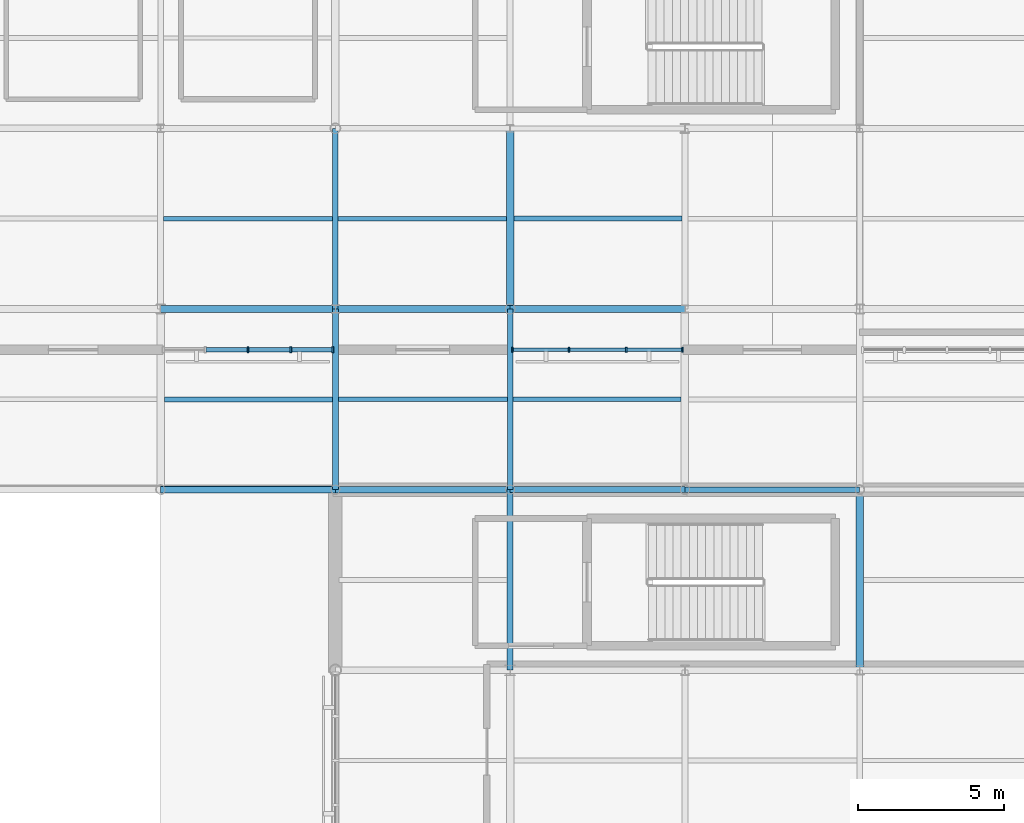
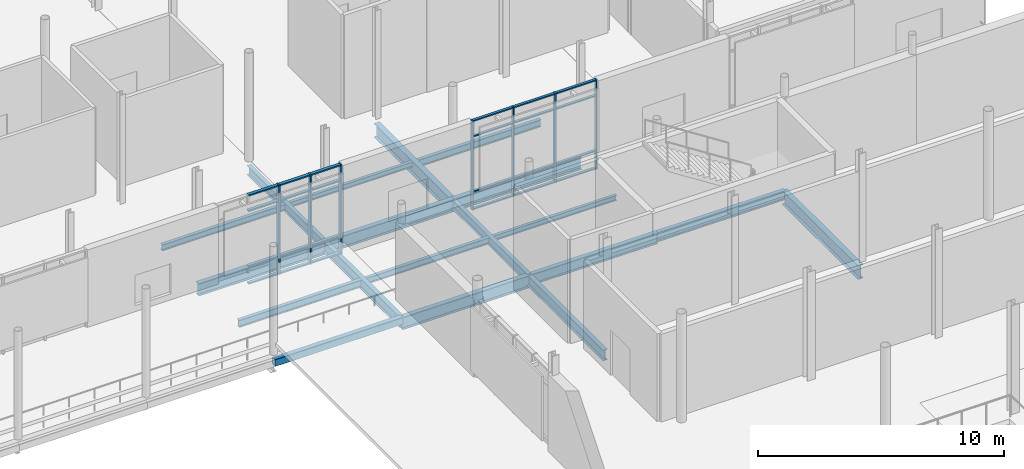
# One storey, part 47 of 105: 31 members, 19 beams, 2 elements without a shape of their own.
"""IFC4 building model written with IfcOpenShell, lengths in metres."""

from ifc_helpers import new_model, si_unit, direction, frame, origin, origin_2d, place, context, subcontext, project, spatial, rectangle, hollow_rectangle, i_section, extrude, material, layer, layer_set, material_profile, profile_set, type_object, element, aggregate, save


model = new_model("IFC4")

# Units and contexts
model_context = context("Model", 3, precision=1e-05, world=origin(), true_north=direction((0.0, 1.0)))
body_context = subcontext(model_context, "Body", "Model", "MODEL_VIEW")
ifc_project = project(units=[si_unit("LENGTHUNIT", "METRE"), si_unit("AREAUNIT", "SQUARE_METRE"), si_unit("VOLUMEUNIT", "CUBIC_METRE"), si_unit("PLANEANGLEUNIT", "RADIAN"), si_unit("MASSUNIT", "GRAM", prefix="KILO")], contexts=[model_context])

# Site, building, storey
site_placement = place(None, origin())
site = spatial("IfcSite", under=ifc_project, at=site_placement, CompositionType="ELEMENT")
building_placement = place(site_placement, origin())
building = spatial("IfcBuilding", under=site, at=building_placement, Name="Mirzam Square Science Centre", CompositionType="ELEMENT")
storey_placement = place(building_placement, frame((0.0, 0.0, 5.39990234375)))
storey = spatial("IfcBuildingStorey", under=building, at=storey_placement, Name="L01", CompositionType="ELEMENT", Elevation=5.39990234375)

# Beams
ifc_material_1 = material(Name="Steel S355", Category="steel")
ifc_material_profile_1 = material_profile(ifc_material_1, i_section(OverallWidth=0.19140625, OverallDepth=0.4599609375, WebThickness=0.010009765625, FlangeThickness=0.01611328125, FilletRadius=0.01025390625, at=origin_2d()), Name="457x191x82UB")
ifc_profile_set_1 = profile_set([ifc_material_profile_1], Name="Steel S355")
beam_type_1 = type_object("IfcBeamType", Name="BM-UB457", PredefinedType="BEAM", material=ifc_profile_set_1)
beam_1_placement = place(storey_placement, frame((144.0, 37.199951171875, -0.489990234375), z_axis=(1.0, 0.0, 0.0), x_axis=(0.0, 1.0, 0.0)))
element("IfcBeam", 1, at=beam_1_placement, inside=storey, type_object=beam_type_1, Name="L01 girder X25-7", PredefinedType="BEAM", context=body_context, shape_type="SweptSolid", body=[
    extrude(i_section(OverallWidth=0.19140625, OverallDepth=0.4599609375, WebThickness=0.010009765625, FlangeThickness=0.01611328125, FilletRadius=0.01025390625, at=origin_2d()), origin(), (0.0, 0.0, 1.0), 6.0),
])
beam_2_placement = place(storey_placement, frame((132.0, 43.39990234375, -0.47998046875), z_axis=(0.0, 1.0, 0.0), x_axis=(-1.0, 0.0, 0.0)))
element("IfcBeam", 2, at=beam_2_placement, inside=storey, type_object=beam_type_1, Name="L01 girder Y23-8", PredefinedType="BEAM", context=body_context, shape_type="SweptSolid", body=[
    extrude(i_section(OverallWidth=0.19140625, OverallDepth=0.4599609375, WebThickness=0.010009765625, FlangeThickness=0.01611328125, FilletRadius=0.01025390625, at=origin_2d()), origin(), (0.0, 0.0, 1.0), 6.2001953125),
])
beam_3_placement = place(storey_placement, frame((138.0, 37.199951171875, -0.47998046875), z_axis=(0.0, 1.0, 0.0), x_axis=(-1.0, 0.0, 0.0)))
element("IfcBeam", 3, at=beam_3_placement, inside=storey, type_object=beam_type_1, Name="L01 girder Y24-7", PredefinedType="BEAM", context=body_context, shape_type="SweptSolid", body=[
    extrude(i_section(OverallWidth=0.19140625, OverallDepth=0.4599609375, WebThickness=0.010009765625, FlangeThickness=0.01611328125, FilletRadius=0.01025390625, at=origin_2d()), origin(), (0.0, 0.0, 1.0), 6.199951171875),
])
ifc_material_profile_2 = material_profile(ifc_material_1, i_section(OverallWidth=0.2099609375, OverallDepth=0.53662109375, WebThickness=0.0107421875, FlangeThickness=0.017333984375, FilletRadius=0.0126953125, at=origin_2d()), Name="533x210x101UB")
ifc_profile_set_2 = profile_set([ifc_material_profile_2], Name="Steel S355")
beam_type_2 = type_object("IfcBeamType", Name="BM-UB533", PredefinedType="BEAM", material=ifc_profile_set_2)
beam_4_placement = place(storey_placement, frame((138.0, 37.199951171875, -0.5283203125), z_axis=(1.0, 0.0, 0.0), x_axis=(0.0, 1.0, 0.0)))
element("IfcBeam", 4, at=beam_4_placement, inside=storey, type_object=beam_type_2, Name="L01 girder X24-7", PredefinedType="BEAM", context=body_context, shape_type="SweptSolid", body=[
    extrude(i_section(OverallWidth=0.2099609375, OverallDepth=0.53662109375, WebThickness=0.0107421875, FlangeThickness=0.017333984375, FilletRadius=0.0126953125, at=origin_2d()), origin(), (0.0, 0.0, 1.0), 6.0),
])
for number, where, z_axis, x_axis, name in (
    (5, (132.0, 37.199951171875, -0.518310546875), (0.0, 1.0, 0.0), (-1.0, 0.0, 0.0), "L01 girder Y23-7"),
    (6, (138.0, 31.0, -0.5283203125), (0.0, 1.0, 0.0), (-1.0, 0.0, 0.0), "L01 girder Y24-6"),
):
    element("IfcBeam", number, at=place(storey_placement, frame(where, z_axis=z_axis, x_axis=x_axis)), inside=storey, type_object=beam_type_2, Name=name, PredefinedType="BEAM", context=body_context, shape_type="SweptSolid", body=[
        extrude(i_section(OverallWidth=0.2099609375, OverallDepth=0.53662109375, WebThickness=0.0107421875, FlangeThickness=0.017333984375, FilletRadius=0.0126953125, at=origin_2d()), origin(), (0.0, 0.0, 1.0), 6.199951171875),
    ])
ifc_material_profile_3 = material_profile(ifc_material_1, i_section(OverallWidth=0.22900390625, OverallDepth=0.6123046875, WebThickness=0.011962890625, FlangeThickness=0.01953125, FilletRadius=0.0126953125, at=origin_2d()), Name="610x229x125UB")
ifc_profile_set_3 = profile_set([ifc_material_profile_3], Name="Steel S355")
beam_type_3 = type_object("IfcBeamType", Name="BM-UB610", PredefinedType="BEAM", material=ifc_profile_set_3)
for number, where, z_axis, x_axis, name in (
    (7, (132.0, 37.199951171875, -0.56591796875), (1.0, 0.0, 0.0), (0.0, 1.0, 0.0), "L01 girder X23-7"),
    (8, (126.0, 43.39990234375, -0.555908203125), (1.0, 0.0, 0.0), (0.0, 1.0, 0.0), "L01 girder X22-8"),
    (9, (132.0, 43.39990234375, -0.555908203125), (1.0, 0.0, 0.0), (0.0, 1.0, 0.0), "L01 girder X23-8"),
    (10, (138.0, 43.39990234375, -0.555908203125), (1.0, 0.0, 0.0), (0.0, 1.0, 0.0), "L01 girder X24-8"),
):
    element("IfcBeam", number, at=place(storey_placement, frame(where, z_axis=z_axis, x_axis=x_axis)), inside=storey, type_object=beam_type_3, Name=name, PredefinedType="BEAM", context=body_context, shape_type="SweptSolid", body=[
        extrude(i_section(OverallWidth=0.22900390625, OverallDepth=0.6123046875, WebThickness=0.011962890625, FlangeThickness=0.01953125, FilletRadius=0.0126953125, at=origin_2d()), origin(), (0.0, 0.0, 1.0), 6.0),
    ])
ifc_material_profile_4 = material_profile(ifc_material_1, i_section(OverallWidth=0.25439453125, OverallDepth=0.6875, WebThickness=0.01318359375, FlangeThickness=0.02099609375, FilletRadius=0.01513671875, at=origin_2d()), Name="686x254x152UB")
ifc_profile_set_4 = profile_set([ifc_material_profile_4], Name="Steel S355")
beam_type_4 = type_object("IfcBeamType", Name="BM-UB686", PredefinedType="BEAM", material=ifc_profile_set_4)
beam_5_placement = place(storey_placement, frame((138.0, 43.39990234375, -0.593505859375), z_axis=(0.0, 1.0, 0.0), x_axis=(-1.0, 0.0, 0.0)))
element("IfcBeam", 11, at=beam_5_placement, inside=storey, type_object=beam_type_4, Name="L01 girder Y24-8", PredefinedType="BEAM", context=body_context, shape_type="SweptSolid", body=[
    extrude(i_section(OverallWidth=0.25439453125, OverallDepth=0.6875, WebThickness=0.01318359375, FlangeThickness=0.02099609375, FilletRadius=0.01513671875, at=origin_2d()), origin(), (0.0, 0.0, 1.0), 6.2001953125),
])
beam_6_placement = place(storey_placement, frame((150.0, 31.0, -0.603759765625), z_axis=(0.0, 1.0, 0.0), x_axis=(-1.0, 0.0, 0.0)))
element("IfcBeam", 12, at=beam_6_placement, inside=storey, type_object=beam_type_4, Name="L01 girder Y26-6", PredefinedType="BEAM", context=body_context, shape_type="SweptSolid", body=[
    extrude(i_section(OverallWidth=0.25439453125, OverallDepth=0.6875, WebThickness=0.01318359375, FlangeThickness=0.02099609375, FilletRadius=0.01513671875, at=origin_2d()), origin(), (0.0, 0.0, 1.0), 6.199951171875),
])

# Curtain wall, members
ifc_material_2 = material(Name="Anodised Aluminium and Low-E Solar Glass", Category="aluminium")
ifc_layer_1 = layer(ifc_material_2, 0.199951171875)
ifc_layer_set_1 = layer_set([ifc_layer_1], Name="CW-PARK-B")
curtain_wall_type_1 = type_object("IfcCurtainWallType", Name="CW-PARK-B", PredefinedType="USERDEFINED", material=ifc_layer_set_1)
curtain_wall_1_placement = place(storey_placement, origin())
curtain_wall_1 = element("IfcCurtainWall", 13, at=curtain_wall_1_placement, inside=storey, type_object=curtain_wall_type_1, Name="L01 unitised curtain wall 83", ObjectType="UNITISED CURTAIN WALL", PredefinedType="USERDEFINED")
ifc_material_3 = material(Name="Anodised Architectural Aluminium 6063-T6", Category="aluminium")
ifc_material_profile_5 = material_profile(ifc_material_3, rectangle(XDim=0.06005859375, YDim=0.159912109375, at=origin_2d()), Name="ALU-MULL-160x60x4")
ifc_profile_set_5 = profile_set([ifc_material_profile_5], Name="Anodised Architectural Aluminium 6063-T6")
member_type_1 = type_object("IfcMemberType", Name="CWM-160", PredefinedType="MULLION", material=ifc_profile_set_5)
member_1_placement = place(storey_placement, frame((138.0849609375, 42.0, 0.0), z_axis=(0.0, 0.0, 1.0), x_axis=(1.0, 0.0, 0.0)))
member_1 = element("IfcMember", 14, at=member_1_placement, type_object=member_type_1, Name="CW-02 mullion 1", PredefinedType="MULLION", context=body_context, shape_type="SweptSolid", body=[
    extrude(rectangle(XDim=0.06005859375, YDim=0.159912109375, at=origin_2d()), origin(), (0.0, 0.0, 1.0), 4.440185546875),
])
member_2_placement = place(storey_placement, frame((140.018310546875, 42.0, 0.0), z_axis=(0.0, 0.0, 1.0), x_axis=(1.0, 0.0, 0.0)))
member_2 = element("IfcMember", 15, at=member_2_placement, type_object=member_type_1, Name="CW-02 mullion 2", PredefinedType="MULLION", context=body_context, shape_type="SweptSolid", body=[
    extrude(rectangle(XDim=0.06005859375, YDim=0.159912109375, at=origin_2d()), origin(), (0.0, 0.0, 1.0), 4.440185546875),
])
member_3_placement = place(storey_placement, frame((141.981689453125, 42.0, 0.0), z_axis=(0.0, 0.0, 1.0), x_axis=(1.0, 0.0, 0.0)))
member_3 = element("IfcMember", 16, at=member_3_placement, type_object=member_type_1, Name="CW-02 mullion 3", PredefinedType="MULLION", context=body_context, shape_type="SweptSolid", body=[
    extrude(rectangle(XDim=0.06005859375, YDim=0.159912109375, at=origin_2d()), origin(), (0.0, 0.0, 1.0), 4.440185546875),
])
member_4_placement = place(storey_placement, frame((143.9150390625, 42.0, 0.0), z_axis=(0.0, 0.0, 1.0), x_axis=(1.0, 0.0, 0.0)))
member_4 = element("IfcMember", 17, at=member_4_placement, type_object=member_type_1, Name="CW-02 mullion 4", PredefinedType="MULLION", context=body_context, shape_type="SweptSolid", body=[
    extrude(rectangle(XDim=0.06005859375, YDim=0.159912109375, at=origin_2d()), origin(), (0.0, 0.0, 1.0), 4.440185546875),
])

ifc_layer_2 = layer(ifc_material_2, 0.179931640625)
ifc_layer_set_2 = layer_set([ifc_layer_2], Name="CW-LINK-A")
curtain_wall_type_2 = type_object("IfcCurtainWallType", Name="CW-LINK-A", PredefinedType="USERDEFINED", material=ifc_layer_set_2)
curtain_wall_2_placement = place(storey_placement, origin())
curtain_wall_2 = element("IfcCurtainWall", 18, at=curtain_wall_2_placement, inside=storey, type_object=curtain_wall_type_2, Name="L01 unitised curtain wall 82", ObjectType="UNITISED CURTAIN WALL", PredefinedType="USERDEFINED")
ifc_material_profile_6 = material_profile(ifc_material_3, rectangle(XDim=0.06494140625, YDim=0.199951171875, at=origin_2d()), Name="ALU-MULL-200x65x5")
ifc_profile_set_6 = profile_set([ifc_material_profile_6], Name="Anodised Architectural Aluminium 6063-T6")
member_type_2 = type_object("IfcMemberType", Name="CWM-200", PredefinedType="MULLION", material=ifc_profile_set_6)
member_5_placement = place(storey_placement, frame((129.0, 42.0, 0.0), z_axis=(0.0, 0.0, 1.0), x_axis=(1.0, 0.0, 0.0)))
member_5 = element("IfcMember", 19, at=member_5_placement, type_object=member_type_2, Name="CW-08 mullion 3", PredefinedType="MULLION", context=body_context, shape_type="SweptSolid", body=[
    extrude(rectangle(XDim=0.06494140625, YDim=0.199951171875, at=origin_2d()), origin(), (0.0, 0.0, 1.0), 4.440185546875),
])
member_6_placement = place(storey_placement, frame((130.472412109375, 42.0, 0.0), z_axis=(0.0, 0.0, 1.0), x_axis=(1.0, 0.0, 0.0)))
member_6 = element("IfcMember", 20, at=member_6_placement, type_object=member_type_2, Name="CW-08 mullion 4", PredefinedType="MULLION", context=body_context, shape_type="SweptSolid", body=[
    extrude(rectangle(XDim=0.06494140625, YDim=0.199951171875, at=origin_2d()), origin(), (0.0, 0.0, 1.0), 4.440185546875),
])
member_7_placement = place(storey_placement, frame((131.91259765625, 42.0, 0.0), z_axis=(0.0, 0.0, 1.0), x_axis=(1.0, 0.0, 0.0)))
member_7 = element("IfcMember", 21, at=member_7_placement, type_object=member_type_2, Name="CW-08 mullion 5", PredefinedType="MULLION", context=body_context, shape_type="SweptSolid", body=[
    extrude(rectangle(XDim=0.06494140625, YDim=0.199951171875, at=origin_2d()), origin(), (0.0, 0.0, 1.0), 4.440185546875),
])

# Member
ifc_material_profile_7 = material_profile(ifc_material_3, rectangle(XDim=0.1201171875, YDim=0.06005859375, at=origin_2d()), Name="ALU-TRAN-120x60x4")
ifc_profile_set_7 = profile_set([ifc_material_profile_7], Name="Anodised Architectural Aluminium 6063-T6")
member_type_3 = type_object("IfcMemberType", Name="CWT-120", PredefinedType="USERDEFINED", material=ifc_profile_set_7)
member_8_placement = place(storey_placement, frame((138.114990234375, 42.0, 0.030029296875), z_axis=(1.0, 0.0, 0.0), x_axis=(0.0, 1.0, 0.0)))
member_8 = element("IfcMember", 22, at=member_8_placement, type_object=member_type_3, Name="CW-02 transom 1.1", ObjectType="TRANSOM", PredefinedType="USERDEFINED", context=body_context, shape_type="SweptSolid", body=[
    extrude(rectangle(XDim=0.1201171875, YDim=0.06005859375, at=origin_2d()), origin(), (0.0, 0.0, 1.0), 1.873291015625),
])

member_9_placement = place(storey_placement, frame((138.114990234375, 42.0, 0.900146484375), z_axis=(1.0, 0.0, 0.0), x_axis=(0.0, 1.0, 0.0)))
member_9 = element("IfcMember", 23, at=member_9_placement, type_object=member_type_3, Name="CW-02 transom 1.2", ObjectType="TRANSOM", PredefinedType="USERDEFINED", context=body_context, shape_type="SweptSolid", body=[
    extrude(rectangle(XDim=0.1201171875, YDim=0.06005859375, at=origin_2d()), origin(), (0.0, 0.0, 1.0), 1.873291015625),
])

member_10_placement = place(storey_placement, frame((138.114990234375, 42.0, 3.64013671875), z_axis=(1.0, 0.0, 0.0), x_axis=(0.0, 1.0, 0.0)))
member_10 = element("IfcMember", 24, at=member_10_placement, type_object=member_type_3, Name="CW-02 transom 1.3", ObjectType="TRANSOM", PredefinedType="USERDEFINED", context=body_context, shape_type="SweptSolid", body=[
    extrude(rectangle(XDim=0.1201171875, YDim=0.06005859375, at=origin_2d()), origin(), (0.0, 0.0, 1.0), 1.873291015625),
])

member_11_placement = place(storey_placement, frame((138.114990234375, 42.0, 4.41015625), z_axis=(1.0, 0.0, 0.0), x_axis=(0.0, 1.0, 0.0)))
member_11 = element("IfcMember", 25, at=member_11_placement, type_object=member_type_3, Name="CW-02 transom 1.4", ObjectType="TRANSOM", PredefinedType="USERDEFINED", context=body_context, shape_type="SweptSolid", body=[
    extrude(rectangle(XDim=0.1201171875, YDim=0.06005859375, at=origin_2d()), origin(), (0.0, 0.0, 1.0), 1.873291015625),
])

member_12_placement = place(storey_placement, frame((140.04833984375, 42.0, 0.030029296875), z_axis=(1.0, 0.0, 0.0), x_axis=(0.0, 1.0, 0.0)))
member_12 = element("IfcMember", 26, at=member_12_placement, type_object=member_type_3, Name="CW-02 transom 2.1", ObjectType="TRANSOM", PredefinedType="USERDEFINED", context=body_context, shape_type="SweptSolid", body=[
    extrude(rectangle(XDim=0.1201171875, YDim=0.06005859375, at=origin_2d()), origin(), (0.0, 0.0, 1.0), 1.9033203125),
])

member_13_placement = place(storey_placement, frame((140.04833984375, 42.0, 0.900146484375), z_axis=(1.0, 0.0, 0.0), x_axis=(0.0, 1.0, 0.0)))
member_13 = element("IfcMember", 27, at=member_13_placement, type_object=member_type_3, Name="CW-02 transom 2.2", ObjectType="TRANSOM", PredefinedType="USERDEFINED", context=body_context, shape_type="SweptSolid", body=[
    extrude(rectangle(XDim=0.1201171875, YDim=0.06005859375, at=origin_2d()), origin(), (0.0, 0.0, 1.0), 1.9033203125),
])

member_14_placement = place(storey_placement, frame((140.04833984375, 42.0, 3.64013671875), z_axis=(1.0, 0.0, 0.0), x_axis=(0.0, 1.0, 0.0)))
member_14 = element("IfcMember", 28, at=member_14_placement, type_object=member_type_3, Name="CW-02 transom 2.3", ObjectType="TRANSOM", PredefinedType="USERDEFINED", context=body_context, shape_type="SweptSolid", body=[
    extrude(rectangle(XDim=0.1201171875, YDim=0.06005859375, at=origin_2d()), origin(), (0.0, 0.0, 1.0), 1.9033203125),
])

member_15_placement = place(storey_placement, frame((140.04833984375, 42.0, 4.41015625), z_axis=(1.0, 0.0, 0.0), x_axis=(0.0, 1.0, 0.0)))
member_15 = element("IfcMember", 29, at=member_15_placement, type_object=member_type_3, Name="CW-02 transom 2.4", ObjectType="TRANSOM", PredefinedType="USERDEFINED", context=body_context, shape_type="SweptSolid", body=[
    extrude(rectangle(XDim=0.1201171875, YDim=0.06005859375, at=origin_2d()), origin(), (0.0, 0.0, 1.0), 1.9033203125),
])

member_16_placement = place(storey_placement, frame((142.01171875, 42.0, 0.030029296875), z_axis=(1.0, 0.0, 0.0), x_axis=(0.0, 1.0, 0.0)))
member_16 = element("IfcMember", 30, at=member_16_placement, type_object=member_type_3, Name="CW-02 transom 3.1", ObjectType="TRANSOM", PredefinedType="USERDEFINED", context=body_context, shape_type="SweptSolid", body=[
    extrude(rectangle(XDim=0.1201171875, YDim=0.06005859375, at=origin_2d()), origin(), (0.0, 0.0, 1.0), 1.873291015625),
])

member_17_placement = place(storey_placement, frame((142.01171875, 42.0, 0.900146484375), z_axis=(1.0, 0.0, 0.0), x_axis=(0.0, 1.0, 0.0)))
member_17 = element("IfcMember", 31, at=member_17_placement, type_object=member_type_3, Name="CW-02 transom 3.2", ObjectType="TRANSOM", PredefinedType="USERDEFINED", context=body_context, shape_type="SweptSolid", body=[
    extrude(rectangle(XDim=0.1201171875, YDim=0.06005859375, at=origin_2d()), origin(), (0.0, 0.0, 1.0), 1.873291015625),
])

member_18_placement = place(storey_placement, frame((142.01171875, 42.0, 3.64013671875), z_axis=(1.0, 0.0, 0.0), x_axis=(0.0, 1.0, 0.0)))
member_18 = element("IfcMember", 32, at=member_18_placement, type_object=member_type_3, Name="CW-02 transom 3.3", ObjectType="TRANSOM", PredefinedType="USERDEFINED", context=body_context, shape_type="SweptSolid", body=[
    extrude(rectangle(XDim=0.1201171875, YDim=0.06005859375, at=origin_2d()), origin(), (0.0, 0.0, 1.0), 1.873291015625),
])

member_19_placement = place(storey_placement, frame((142.01171875, 42.0, 4.41015625), z_axis=(1.0, 0.0, 0.0), x_axis=(0.0, 1.0, 0.0)))
member_19 = element("IfcMember", 33, at=member_19_placement, type_object=member_type_3, Name="CW-02 transom 3.4", ObjectType="TRANSOM", PredefinedType="USERDEFINED", context=body_context, shape_type="SweptSolid", body=[
    extrude(rectangle(XDim=0.1201171875, YDim=0.06005859375, at=origin_2d()), origin(), (0.0, 0.0, 1.0), 1.873291015625),
])

aggregate(curtain_wall_1, [member_1, member_2, member_3, member_4, member_8, member_9, member_10, member_11, member_12, member_13, member_14, member_15, member_16, member_17, member_18, member_19])

ifc_material_profile_8 = material_profile(ifc_material_3, rectangle(XDim=0.14990234375, YDim=0.06494140625, at=origin_2d()), Name="ALU-TRAN-150x65x4")
ifc_profile_set_8 = profile_set([ifc_material_profile_8], Name="Anodised Architectural Aluminium 6063-T6")
member_type_4 = type_object("IfcMemberType", Name="CWT-150", PredefinedType="USERDEFINED", material=ifc_profile_set_8)
member_20_placement = place(storey_placement, frame((127.56005859375, 42.0, 0.03271484375), z_axis=(1.0, 0.0, 0.0), x_axis=(0.0, 1.0, 0.0)))
member_20 = element("IfcMember", 34, at=member_20_placement, type_object=member_type_4, Name="CW-08 transom 2.1", ObjectType="TRANSOM", PredefinedType="USERDEFINED", context=body_context, shape_type="SweptSolid", body=[
    extrude(rectangle(XDim=0.14990234375, YDim=0.06494140625, at=origin_2d()), origin(), (0.0, 0.0, 1.0), 1.407470703125),
])

member_21_placement = place(storey_placement, frame((127.56005859375, 42.0, 0.900146484375), z_axis=(1.0, 0.0, 0.0), x_axis=(0.0, 1.0, 0.0)))
member_21 = element("IfcMember", 35, at=member_21_placement, type_object=member_type_4, Name="CW-08 transom 2.2", ObjectType="TRANSOM", PredefinedType="USERDEFINED", context=body_context, shape_type="SweptSolid", body=[
    extrude(rectangle(XDim=0.14990234375, YDim=0.06494140625, at=origin_2d()), origin(), (0.0, 0.0, 1.0), 1.407470703125),
])

member_22_placement = place(storey_placement, frame((127.56005859375, 42.0, 3.64013671875), z_axis=(1.0, 0.0, 0.0), x_axis=(0.0, 1.0, 0.0)))
member_22 = element("IfcMember", 36, at=member_22_placement, type_object=member_type_4, Name="CW-08 transom 2.3", ObjectType="TRANSOM", PredefinedType="USERDEFINED", context=body_context, shape_type="SweptSolid", body=[
    extrude(rectangle(XDim=0.14990234375, YDim=0.06494140625, at=origin_2d()), origin(), (0.0, 0.0, 1.0), 1.407470703125),
])

member_23_placement = place(storey_placement, frame((127.56005859375, 42.0, 4.40771484375), z_axis=(1.0, 0.0, 0.0), x_axis=(0.0, 1.0, 0.0)))
member_23 = element("IfcMember", 37, at=member_23_placement, type_object=member_type_4, Name="CW-08 transom 2.4", ObjectType="TRANSOM", PredefinedType="USERDEFINED", context=body_context, shape_type="SweptSolid", body=[
    extrude(rectangle(XDim=0.14990234375, YDim=0.06494140625, at=origin_2d()), origin(), (0.0, 0.0, 1.0), 1.407470703125),
])

member_24_placement = place(storey_placement, frame((129.032470703125, 42.0, 0.03271484375), z_axis=(1.0, 0.0, 0.0), x_axis=(0.0, 1.0, 0.0)))
member_24 = element("IfcMember", 38, at=member_24_placement, type_object=member_type_4, Name="CW-08 transom 3.1", ObjectType="TRANSOM", PredefinedType="USERDEFINED", context=body_context, shape_type="SweptSolid", body=[
    extrude(rectangle(XDim=0.14990234375, YDim=0.06494140625, at=origin_2d()), origin(), (0.0, 0.0, 1.0), 1.407470703125),
])

member_25_placement = place(storey_placement, frame((129.032470703125, 42.0, 0.900146484375), z_axis=(1.0, 0.0, 0.0), x_axis=(0.0, 1.0, 0.0)))
member_25 = element("IfcMember", 39, at=member_25_placement, type_object=member_type_4, Name="CW-08 transom 3.2", ObjectType="TRANSOM", PredefinedType="USERDEFINED", context=body_context, shape_type="SweptSolid", body=[
    extrude(rectangle(XDim=0.14990234375, YDim=0.06494140625, at=origin_2d()), origin(), (0.0, 0.0, 1.0), 1.407470703125),
])

member_26_placement = place(storey_placement, frame((129.032470703125, 42.0, 3.64013671875), z_axis=(1.0, 0.0, 0.0), x_axis=(0.0, 1.0, 0.0)))
member_26 = element("IfcMember", 40, at=member_26_placement, type_object=member_type_4, Name="CW-08 transom 3.3", ObjectType="TRANSOM", PredefinedType="USERDEFINED", context=body_context, shape_type="SweptSolid", body=[
    extrude(rectangle(XDim=0.14990234375, YDim=0.06494140625, at=origin_2d()), origin(), (0.0, 0.0, 1.0), 1.407470703125),
])

member_27_placement = place(storey_placement, frame((129.032470703125, 42.0, 4.40771484375), z_axis=(1.0, 0.0, 0.0), x_axis=(0.0, 1.0, 0.0)))
member_27 = element("IfcMember", 41, at=member_27_placement, type_object=member_type_4, Name="CW-08 transom 3.4", ObjectType="TRANSOM", PredefinedType="USERDEFINED", context=body_context, shape_type="SweptSolid", body=[
    extrude(rectangle(XDim=0.14990234375, YDim=0.06494140625, at=origin_2d()), origin(), (0.0, 0.0, 1.0), 1.407470703125),
])

member_28_placement = place(storey_placement, frame((130.5048828125, 42.0, 0.03271484375), z_axis=(1.0, 0.0, 0.0), x_axis=(0.0, 1.0, 0.0)))
member_28 = element("IfcMember", 42, at=member_28_placement, type_object=member_type_4, Name="CW-08 transom 4.1", ObjectType="TRANSOM", PredefinedType="USERDEFINED", context=body_context, shape_type="SweptSolid", body=[
    extrude(rectangle(XDim=0.14990234375, YDim=0.06494140625, at=origin_2d()), origin(), (0.0, 0.0, 1.0), 1.375),
])

member_29_placement = place(storey_placement, frame((130.5048828125, 42.0, 0.900146484375), z_axis=(1.0, 0.0, 0.0), x_axis=(0.0, 1.0, 0.0)))
member_29 = element("IfcMember", 43, at=member_29_placement, type_object=member_type_4, Name="CW-08 transom 4.2", ObjectType="TRANSOM", PredefinedType="USERDEFINED", context=body_context, shape_type="SweptSolid", body=[
    extrude(rectangle(XDim=0.14990234375, YDim=0.06494140625, at=origin_2d()), origin(), (0.0, 0.0, 1.0), 1.375),
])

member_30_placement = place(storey_placement, frame((130.5048828125, 42.0, 3.64013671875), z_axis=(1.0, 0.0, 0.0), x_axis=(0.0, 1.0, 0.0)))
member_30 = element("IfcMember", 44, at=member_30_placement, type_object=member_type_4, Name="CW-08 transom 4.3", ObjectType="TRANSOM", PredefinedType="USERDEFINED", context=body_context, shape_type="SweptSolid", body=[
    extrude(rectangle(XDim=0.14990234375, YDim=0.06494140625, at=origin_2d()), origin(), (0.0, 0.0, 1.0), 1.375),
])

member_31_placement = place(storey_placement, frame((130.5048828125, 42.0, 4.40771484375), z_axis=(1.0, 0.0, 0.0), x_axis=(0.0, 1.0, 0.0)))
member_31 = element("IfcMember", 45, at=member_31_placement, type_object=member_type_4, Name="CW-08 transom 4.4", ObjectType="TRANSOM", PredefinedType="USERDEFINED", context=body_context, shape_type="SweptSolid", body=[
    extrude(rectangle(XDim=0.14990234375, YDim=0.06494140625, at=origin_2d()), origin(), (0.0, 0.0, 1.0), 1.375),
])

aggregate(curtain_wall_2, [member_5, member_6, member_7, member_20, member_21, member_22, member_23, member_24, member_25, member_26, member_27, member_28, member_29, member_30, member_31])

# Beams
ifc_material_profile_9 = material_profile(ifc_material_1, i_section(OverallWidth=0.146484375, OverallDepth=0.256103515625, WebThickness=0.00634765625, FlangeThickness=0.010986328125, FilletRadius=0.007568359375, at=origin_2d()), Name="254x146x37UB")
ifc_profile_set_9 = profile_set([ifc_material_profile_9], Name="Steel S355")
beam_type_5 = type_object("IfcBeamType", Name="JS-UB254", PredefinedType="JOIST", material=ifc_profile_set_9)
for number, where, z_axis, x_axis, name in (
    (46, (132.095703125, 46.5, -0.3779296875), (1.0, 0.0, 0.0), (0.0, 1.0, 0.0), "L01 composite joist 23-8"),
    (47, (138.095703125, 40.300048828125, -0.3779296875), (1.0, 0.0, 0.0), (0.0, 1.0, 0.0), "L01 composite joist 24-7"),
):
    element("IfcBeam", number, at=place(storey_placement, frame(where, z_axis=z_axis, x_axis=x_axis)), inside=storey, type_object=beam_type_5, Name=name, PredefinedType="JOIST", context=body_context, shape_type="SweptSolid", body=[
        extrude(i_section(OverallWidth=0.146484375, OverallDepth=0.256103515625, WebThickness=0.00634765625, FlangeThickness=0.010986328125, FilletRadius=0.007568359375, at=origin_2d()), origin(), (0.0, 0.0, 1.0), 5.777099609375),
    ])
ifc_material_profile_10 = material_profile(ifc_material_1, i_section(OverallWidth=0.165771484375, OverallDepth=0.306640625, WebThickness=0.006591796875, FlangeThickness=0.01171875, FilletRadius=0.0087890625, at=origin_2d()), Name="305x165x46UB")
ifc_profile_set_10 = profile_set([ifc_material_profile_10], Name="Steel S355")
beam_type_6 = type_object("IfcBeamType", Name="JS-UB305", PredefinedType="JOIST", material=ifc_profile_set_10)
for number, where, z_axis, x_axis, name in (
    (48, (126.10498046875, 46.5, -0.4033203125), (1.0, 0.0, 0.0), (0.0, 1.0, 0.0), "L01 composite joist 22-8"),
    (49, (132.10498046875, 40.300048828125, -0.4033203125), (1.0, 0.0, 0.0), (0.0, 1.0, 0.0), "L01 composite joist 23-7"),
):
    element("IfcBeam", number, at=place(storey_placement, frame(where, z_axis=z_axis, x_axis=x_axis)), inside=storey, type_object=beam_type_6, Name=name, PredefinedType="JOIST", context=body_context, shape_type="SweptSolid", body=[
        extrude(i_section(OverallWidth=0.165771484375, OverallDepth=0.306640625, WebThickness=0.006591796875, FlangeThickness=0.01171875, FilletRadius=0.0087890625, at=origin_2d()), origin(), (0.0, 0.0, 1.0), 5.79931640625),
    ])
ifc_material_profile_11 = material_profile(ifc_material_1, i_section(OverallWidth=0.172119140625, OverallDepth=0.35791015625, WebThickness=0.008056640625, FlangeThickness=0.012939453125, FilletRadius=0.01025390625, at=origin_2d()), Name="356x171x57UB")
ifc_profile_set_11 = profile_set([ifc_material_profile_11], Name="Steel S355")
beam_type_7 = type_object("IfcBeamType", Name="JS-UB356", PredefinedType="JOIST", material=ifc_profile_set_11)
for number, where, z_axis, x_axis, name in (
    (50, (126.127197265625, 40.300048828125, -0.428955078125), (1.0, 0.0, 0.0), (0.0, 1.0, 0.0), "L01 composite joist 22-7"),
    (51, (138.127197265625, 46.5, -0.428955078125), (1.0, 0.0, 0.0), (0.0, 1.0, 0.0), "L01 composite joist 24-8"),
):
    element("IfcBeam", number, at=place(storey_placement, frame(where, z_axis=z_axis, x_axis=x_axis)), inside=storey, type_object=beam_type_7, Name=name, PredefinedType="JOIST", context=body_context, shape_type="SweptSolid", body=[
        extrude(i_section(OverallWidth=0.172119140625, OverallDepth=0.35791015625, WebThickness=0.008056640625, FlangeThickness=0.012939453125, FilletRadius=0.01025390625, at=origin_2d()), origin(), (0.0, 0.0, 1.0), 5.767822265625),
    ])
ifc_material_profile_12 = material_profile(ifc_material_1, hollow_rectangle(XDim=0.25, YDim=0.35009765625, WallThickness=0.012451171875, InnerFilletRadius=0.012451171875, OuterFilletRadius=0.02490234375, at=origin_2d()), Name="350x250x12.5RHS")
ifc_profile_set_12 = profile_set([ifc_material_profile_12], Name="Steel S355")
beam_type_8 = type_object("IfcBeamType", Name="SP-RHS350", PredefinedType="SPANDREL", material=ifc_profile_set_12)
beam_7_placement = place(storey_placement, frame((126.0, 37.199951171875, -0.4248046875), z_axis=(1.0, 0.0, 0.0), x_axis=(0.0, 1.0, 0.0)))
element("IfcBeam", 52, at=beam_7_placement, inside=storey, type_object=beam_type_8, Name="L01 girder X22-7", PredefinedType="SPANDREL", context=body_context, shape_type="SweptSolid", body=[
    extrude(hollow_rectangle(XDim=0.25, YDim=0.35009765625, WallThickness=0.012451171875, InnerFilletRadius=0.012451171875, OuterFilletRadius=0.02490234375, at=origin_2d()), origin(), (0.0, 0.0, 1.0), 6.0),
])

save(model, "model.ifc")
